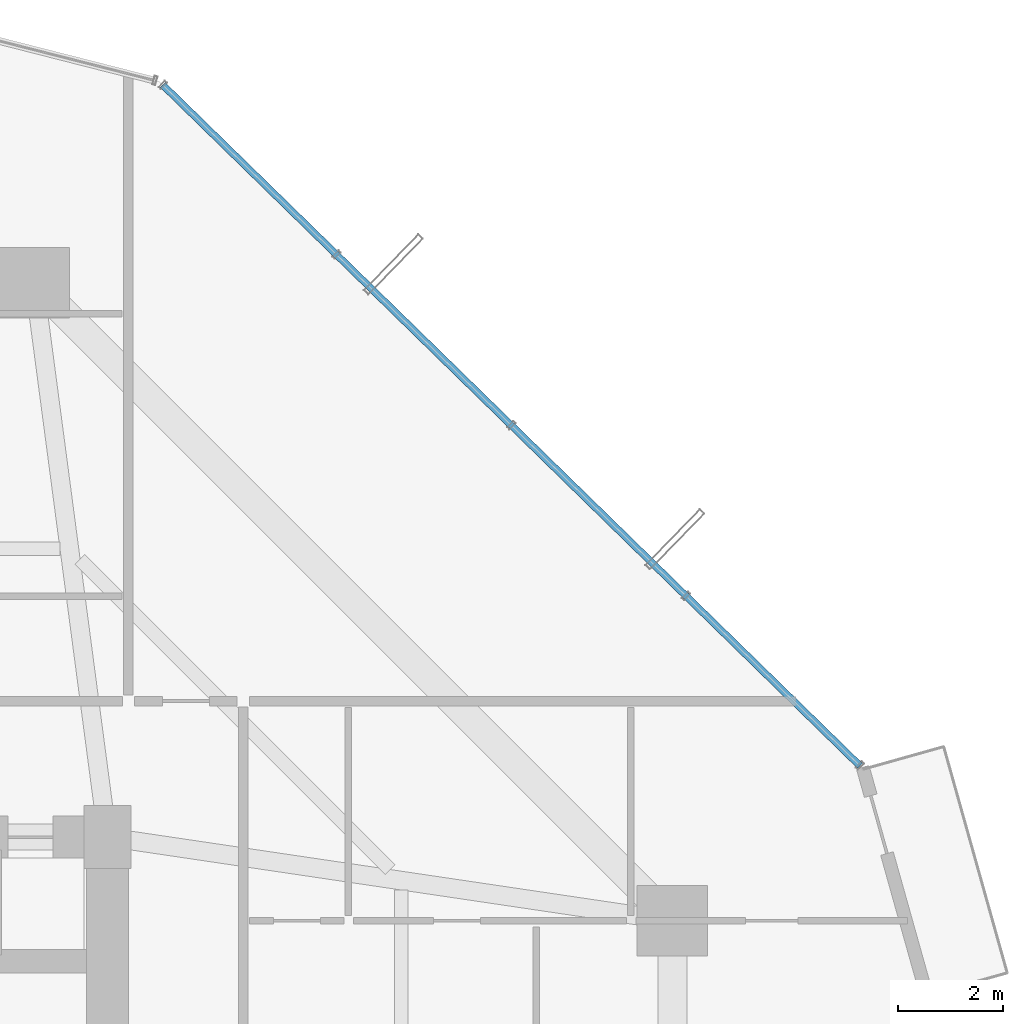
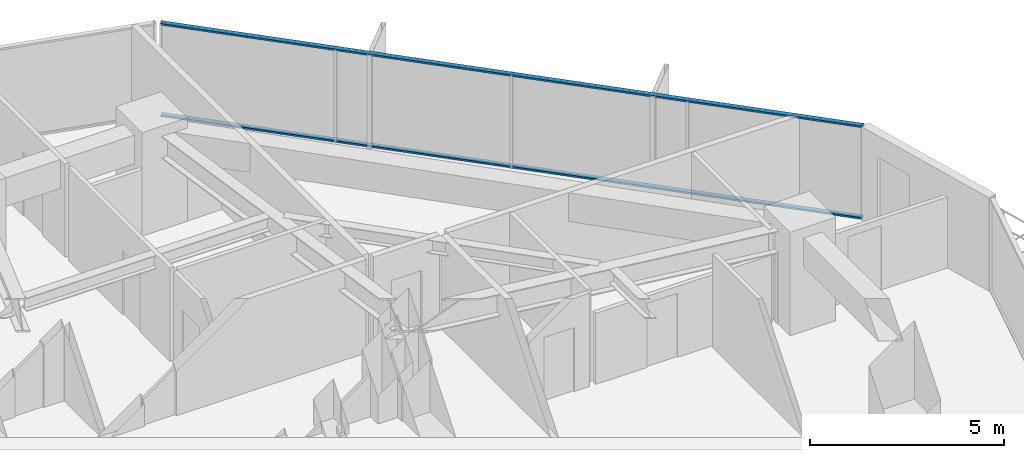
# One storey, part 31 of 39: 2 members, 1 element without a shape of its own.
"""IFC4 building model written with IfcOpenShell, lengths in metres."""

from ifc_helpers import new_model, si_unit, direction, frame, origin, origin_2d, place, context, subcontext, project, spatial, hollow_rectangle, extrude, source, transform, mapped, material, layer, layer_set, material_profile, profile_set, type_object, element, aggregate, save


model = new_model("IFC4")

# Units and contexts
model_context = context("Model", 3, precision=1e-05, world=origin(), true_north=direction((0.0, 1.0)))
body_context = subcontext(model_context, "Body", "Model", "MODEL_VIEW")
ifc_project = project(units=[si_unit("LENGTHUNIT", "METRE"), si_unit("AREAUNIT", "SQUARE_METRE"), si_unit("VOLUMEUNIT", "CUBIC_METRE"), si_unit("PLANEANGLEUNIT", "RADIAN"), si_unit("MASSUNIT", "GRAM", prefix="KILO")], contexts=[model_context])

# Site, building, storey
site_placement = place(None, origin())
site = spatial("IfcSite", under=ifc_project, at=site_placement, CompositionType="ELEMENT")
building_placement = place(site_placement, origin())
building = spatial("IfcBuilding", under=site, at=building_placement, Name="Veraguas Prism Commons", CompositionType="ELEMENT")
storey_placement = place(building_placement, frame((0.0, 0.0, 77.10009765625)))
storey = spatial("IfcBuildingStorey", under=building, at=storey_placement, Name="L21", CompositionType="ELEMENT", Elevation=77.10009765625)

# Curtain wall, members
ifc_material = material(Name="Anodised aluminium EN AW-6063 T6", Category="aluminium")
ifc_layer = layer(ifc_material, 0.169921875, Name="Unitised Flush Curtain Wall Zone 1", Category="aluminium")
ifc_layer_set = layer_set([ifc_layer], Name="Anodised aluminium EN AW-6063 T6")
curtain_wall_type = type_object("IfcCurtainWallType", Name="Unitised Flush Curtain Wall Zone 1", PredefinedType="NOTDEFINED", material=ifc_layer_set)
curtain_wall_placement = place(storey_placement, origin())
curtain_wall = element("IfcCurtainWall", 1, at=curtain_wall_placement, inside=storey, type_object=curtain_wall_type, Name="Tower Facade Curtain Wall L21-F1", PredefinedType="NOTDEFINED")
ifc_material_profile = material_profile(ifc_material, hollow_rectangle(XDim=0.054931640625, YDim=0.135009765625, WallThickness=0.0029296875, at=origin_2d()), Name="AL55X135X3")
ifc_profile_set = profile_set([ifc_material_profile], Name="Anodised aluminium EN AW-6063 T6")
member_type = type_object("IfcMemberType", Name="Curtain Wall Transom Standard AL 55x135x3", PredefinedType="USERDEFINED", material=ifc_profile_set)
shared_shape = source(origin(), body_context, "Body", "SweptSolid", [
    extrude(hollow_rectangle(XDim=0.054931640625, YDim=0.135009765625, WallThickness=0.0029296875, at=origin_2d()), origin(), (0.0, 0.0, 1.0), 18.6240234375),
])
member_1_placement = place(storey_placement, frame((45.183837890625, 32.3642578125, 0.02734375), z_axis=(-0.715446730911, 0.698667285072, 0.0), x_axis=(0.0, 0.0, 1.0)))
member_1 = element("IfcMember", 2, at=member_1_placement, type_object=member_type, Name="CW-Z1 Transom 1", ObjectType="TRANSOM", PredefinedType="USERDEFINED", context=body_context, shape_type="MappedRepresentation", body=[
    mapped(shared_shape, transform((0.0, 0.0, 0.0), scale=1.0)),
])
member_2_placement = place(storey_placement, frame((45.183837890625, 32.3642578125, 2.90234375), z_axis=(-0.715446730911, 0.698667285072, 0.0), x_axis=(0.0, 0.0, 1.0)))
member_2 = element("IfcMember", 3, at=member_2_placement, type_object=member_type, Name="CW-Z1 Transom 2", ObjectType="TRANSOM", PredefinedType="USERDEFINED", context=body_context, shape_type="MappedRepresentation", body=[
    mapped(shared_shape, transform((0.0, 0.0, 0.0), scale=1.0)),
])
aggregate(curtain_wall, [member_1, member_2])

save(model, "model.ifc")
